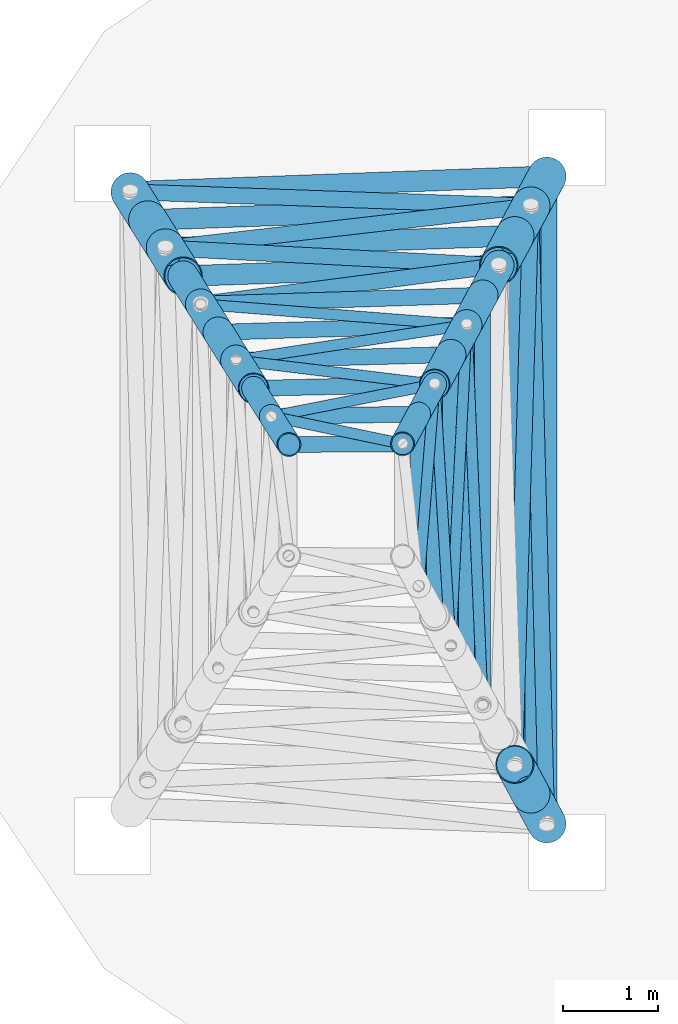
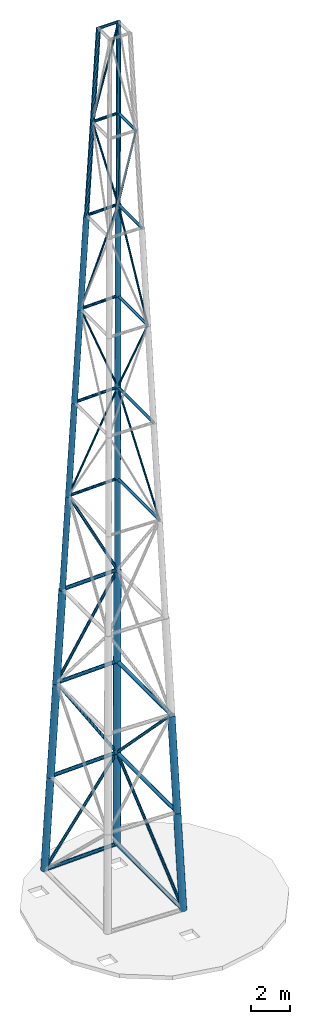
# One storey, part 2 of 10: 53 members.
"""IFC4 building model written with IfcOpenShell, lengths in metres."""

from ifc_helpers import new_model, si_unit, direction, frame, origin, origin_2d, place, context, subcontext, project, spatial, hollow_circle, extrude, material, material_profile, profile_set, type_object, element, save


model = new_model("IFC4")

# Units and contexts
model_context = context("Model", 3, precision=1e-05, world=origin(), true_north=direction((0.0, 1.0)))
body_context = subcontext(model_context, "Body", "Model", "MODEL_VIEW")
ifc_project = project(units=[si_unit("LENGTHUNIT", "METRE"), si_unit("AREAUNIT", "SQUARE_METRE"), si_unit("VOLUMEUNIT", "CUBIC_METRE"), si_unit("PLANEANGLEUNIT", "RADIAN"), si_unit("MASSUNIT", "GRAM", prefix="KILO")], contexts=[model_context])

# Site, building, storey
site_placement = place(None, origin())
site = spatial("IfcSite", under=ifc_project, at=site_placement, CompositionType="ELEMENT")
building_placement = place(site_placement, origin())
building = spatial("IfcBuilding", under=site, at=building_placement, Name="Alderwake Tower", CompositionType="ELEMENT")
storey_placement = place(building_placement, frame((0.0, 0.0, 319.25)))
storey = spatial("IfcBuildingStorey", under=building, at=storey_placement, Name="Upper roof", CompositionType="ELEMENT", Elevation=319.25)

# Members
ifc_material_1 = material(Name="Steel ASTM A500 Grade C", Category="steel")
ifc_material_profile_1 = material_profile(ifc_material_1, hollow_circle(Radius=0.05712890625, WallThickness=0.005615234375, at=origin_2d()), Name="HSS4.500X0.237")
ifc_profile_set_1 = profile_set([ifc_material_profile_1], Name="Steel ASTM A500 Grade C")
member_type_1 = type_object("IfcMemberType", Name="Mast diagonal HSS4.500X0.237", PredefinedType="USERDEFINED", material=ifc_profile_set_1)
member_1_placement = place(storey_placement, frame((21.167724609375, 63.06689453125, 25.75), z_axis=(0.423567321356, -0.033077959351, 0.905260500013), x_axis=(0.077856698422, 0.996964560308, 0.0)))
element("IfcMember", 1, at=member_1_placement, inside=storey, type_object=member_type_1, Name="Mast diagonal MD2.6", ObjectType="MAST", PredefinedType="USERDEFINED", context=body_context, shape_type="SweptSolid", body=[
    extrude(hollow_circle(Radius=0.05712890625, WallThickness=0.005615234375, at=origin_2d()), origin(), (0.0, 0.0, 1.0), 6.6279296875),
])
member_2_placement = place(storey_placement, frame((24.14404296875, 58.83837890625, 25.75), z_axis=(-0.023405364976, 0.555437722009, 0.831228684454), x_axis=(-0.999113350042, -0.042101232385, 0.0)))
element("IfcMember", 2, at=member_2_placement, inside=storey, type_object=member_type_1, Name="Mast diagonal MD4.6", ObjectType="MAST", PredefinedType="USERDEFINED", context=body_context, shape_type="SweptSolid", body=[
    extrude(hollow_circle(Radius=0.05712890625, WallThickness=0.005615234375, at=origin_2d()), origin(), (0.0, 0.0, 1.0), 7.21826171875),
])
member_3_placement = place(storey_placement, frame((23.97509765625, 62.84765625, 31.75), z_axis=(-0.375430889648, -0.057515379926, 0.925064121113), x_axis=(0.151431592789, -0.988467739841, 0.0)))
element("IfcMember", 3, at=member_3_placement, inside=storey, type_object=member_type_1, Name="Mast diagonal MD2.7", ObjectType="MAST", PredefinedType="USERDEFINED", context=body_context, shape_type="SweptSolid", body=[
    extrude(hollow_circle(Radius=0.05712890625, WallThickness=0.005615234375, at=origin_2d()), origin(), (0.0, 0.0, 1.0), 6.486083984375),
])
member_4_placement = place(storey_placement, frame((23.97509765625, 62.84765625, 31.75), z_axis=(-0.024593364458, -0.49083961255, 0.870902773664), x_axis=(0.998747118748, -0.050041910361, 0.0)))
element("IfcMember", 4, at=member_4_placement, inside=storey, type_object=member_type_1, Name="Mast diagonal MD4.7", ObjectType="MAST", PredefinedType="USERDEFINED", context=body_context, shape_type="SweptSolid", body=[
    extrude(hollow_circle(Radius=0.05712890625, WallThickness=0.005615234375, at=origin_2d()), origin(), (0.0, 0.0, 1.0), 6.889404296875),
])
member_5_placement = place(storey_placement, frame((21.5400390625, 62.474609375, 37.75), z_axis=(0.329621058819, -0.0399936124, 0.943265852531), x_axis=(0.120448738844, 0.992719548166, 0.0)))
element("IfcMember", 5, at=member_5_placement, inside=storey, type_object=member_type_1, Name="Mast diagonal MD2.8", ObjectType="MAST", PredefinedType="USERDEFINED", context=body_context, shape_type="SweptSolid", body=[
    extrude(hollow_circle(Radius=0.05712890625, WallThickness=0.005615234375, at=origin_2d()), origin(), (0.0, 0.0, 1.0), 6.36083984375),
])
member_6_placement = place(storey_placement, frame((23.8056640625, 59.466064453125, 37.75), z_axis=(-0.02558195614, 0.41703764049, 0.908529124428), x_axis=(-0.998123867682, -0.061226993745, 0.0)))
element("IfcMember", 6, at=member_6_placement, inside=storey, type_object=member_type_1, Name="Mast diagonal MD4.8", ObjectType="MAST", PredefinedType="USERDEFINED", context=body_context, shape_type="SweptSolid", body=[
    extrude(hollow_circle(Radius=0.05712890625, WallThickness=0.005615234375, at=origin_2d()), origin(), (0.0, 0.0, 1.0), 6.60400390625),
])
member_7_placement = place(storey_placement, frame((23.63671875, 62.22021484375, 43.75), z_axis=(-0.275845316455, -0.054083488574, 0.959679288957), x_axis=(0.192401345534, -0.981316321191, 0.0)))
element("IfcMember", 7, at=member_7_placement, inside=storey, type_object=member_type_1, Name="Mast diagonal MD2.9", ObjectType="MAST", PredefinedType="USERDEFINED", context=body_context, shape_type="SweptSolid", body=[
    extrude(hollow_circle(Radius=0.05712890625, WallThickness=0.005615234375, at=origin_2d()), origin(), (0.0, 0.0, 1.0), 6.252197265625),
])
member_8_placement = place(storey_placement, frame((23.63671875, 62.22021484375, 43.75), z_axis=(-0.026606976833, -0.333967399417, 0.942209024002), x_axis=(0.996841422851, -0.079417741644, 0.0)))
element("IfcMember", 8, at=member_8_placement, inside=storey, type_object=member_type_1, Name="Mast diagonal MD4.9", ObjectType="MAST", PredefinedType="USERDEFINED", context=body_context, shape_type="SweptSolid", body=[
    extrude(hollow_circle(Radius=0.05712890625, WallThickness=0.005615234375, at=origin_2d()), origin(), (0.0, 0.0, 1.0), 6.367919921875),
])
member_9_placement = place(storey_placement, frame((21.912109375, 61.882080078125, 49.75), z_axis=(0.224860497787, -0.046928441331, 0.973260231351), x_axis=(0.204298475334, 0.978908643836, 0.0)))
element("IfcMember", 9, at=member_9_placement, inside=storey, type_object=member_type_1, Name="Mast diagonal MD2.10", ObjectType="MAST", PredefinedType="USERDEFINED", context=body_context, shape_type="SweptSolid", body=[
    extrude(hollow_circle(Radius=0.05712890625, WallThickness=0.005615234375, at=origin_2d()), origin(), (0.0, 0.0, 1.0), 6.164794921875),
])
ifc_material_2 = material(Name="Steel ASTM A500 Grade C", Category="steel")
ifc_material_profile_2 = material_profile(ifc_material_2, hollow_circle(Radius=0.084228515625, WallThickness=0.006591796875, at=origin_2d()), Name="HSS6.625X0.280")
ifc_profile_set_2 = profile_set([ifc_material_profile_2], Name="Steel ASTM A500 Grade C")
member_type_2 = type_object("IfcMemberType", Name="Mast diagonal HSS6.625X0.280", PredefinedType="USERDEFINED", material=ifc_profile_set_2)
member_10_placement = place(storey_placement, frame((20.42333984375, 64.251953125, 1.75), z_axis=(0.575969599333, -0.020350637653, 0.817217763017), x_axis=(0.035310798691, 0.999376379297, 0.0)))
element("IfcMember", 10, at=member_10_placement, inside=storey, type_object=member_type_2, Name="Mast diagonal MD2.2", ObjectType="MAST", PredefinedType="USERDEFINED", context=body_context, shape_type="SweptSolid", body=[
    extrude(hollow_circle(Radius=0.084228515625, WallThickness=0.006591796875, at=origin_2d()), origin(), (0.0, 0.0, 1.0), 7.342041015625),
])
member_11_placement = place(storey_placement, frame((24.820556640625, 57.58349609375, 1.75), z_axis=(-0.019009976417, 0.735658536661, 0.677085768743), x_axis=(-0.999666294649, -0.025832137791, 0.0)))
element("IfcMember", 11, at=member_11_placement, inside=storey, type_object=member_type_2, Name="Mast diagonal MD4.2", ObjectType="MAST", PredefinedType="USERDEFINED", context=body_context, shape_type="SweptSolid", body=[
    extrude(hollow_circle(Radius=0.084228515625, WallThickness=0.006591796875, at=origin_2d()), origin(), (0.0, 0.0, 1.0), 8.861572265625),
])
member_12_placement = place(storey_placement, frame((24.652099609375, 64.1025390625, 7.75), z_axis=(-0.53967216741, -0.062005759565, 0.839588731168), x_axis=(0.11414429883, -0.993464181058, 0.0)))
element("IfcMember", 12, at=member_12_placement, inside=storey, type_object=member_type_2, Name="Mast diagonal MD2.3", ObjectType="MAST", PredefinedType="USERDEFINED", context=body_context, shape_type="SweptSolid", body=[
    extrude(hollow_circle(Radius=0.084228515625, WallThickness=0.006591796875, at=origin_2d()), origin(), (0.0, 0.0, 1.0), 7.146240234375),
])
member_13_placement = place(storey_placement, frame((24.652099609375, 64.1025390625, 7.75), z_axis=(-0.020174048804, -0.700489418336, 0.713377587644), x_axis=(0.999585539718, -0.028787997269, 0.0)))
element("IfcMember", 13, at=member_13_placement, inside=storey, type_object=member_type_2, Name="Mast diagonal MD4.3", ObjectType="MAST", PredefinedType="USERDEFINED", context=body_context, shape_type="SweptSolid", body=[
    extrude(hollow_circle(Radius=0.084228515625, WallThickness=0.006591796875, at=origin_2d()), origin(), (0.0, 0.0, 1.0), 8.41064453125),
])
member_14_placement = place(storey_placement, frame((20.79541015625, 63.659423828125, 13.75), z_axis=(0.505656368577, -0.02649160768, 0.862328146149), x_axis=(0.052318782746, 0.998630434631, 0.0)))
element("IfcMember", 14, at=member_14_placement, inside=storey, type_object=member_type_2, Name="Mast diagonal MD2.4", ObjectType="MAST", PredefinedType="USERDEFINED", context=body_context, shape_type="SweptSolid", body=[
    extrude(hollow_circle(Radius=0.084228515625, WallThickness=0.006591796875, at=origin_2d()), origin(), (0.0, 0.0, 1.0), 6.9580078125),
])
member_15_placement = place(storey_placement, frame((24.313720703125, 63.47509765625, 19.75), z_axis=(-0.463529871317, -0.060144493624, 0.884037724468), x_axis=(0.128674565683, -0.991686874041, 0.0)))
element("IfcMember", 15, at=member_15_placement, inside=storey, type_object=member_type_2, Name="Mast diagonal MD2.5", ObjectType="MAST", PredefinedType="USERDEFINED", context=body_context, shape_type="SweptSolid", body=[
    extrude(hollow_circle(Radius=0.084228515625, WallThickness=0.006591796875, at=origin_2d()), origin(), (0.0, 0.0, 1.0), 6.787109375),
])
ifc_material_3 = material(Name="Steel ASTM A500 Grade C", Category="steel")
ifc_material_profile_3 = material_profile(ifc_material_3, hollow_circle(Radius=0.126953125, WallThickness=0.01171875, at=origin_2d()), Name="HSS10.000X0.500")
ifc_profile_set_3 = profile_set([ifc_material_profile_3], Name="Steel ASTM A500 Grade C")
member_type_3 = type_object("IfcMemberType", Name="Mast leg HSS10.000X0.500", PredefinedType="USERDEFINED", material=ifc_profile_set_3)
member_16_placement = place(storey_placement, frame((21.72607421875, 62.17822265625, 43.75), z_axis=(0.030953322217, -0.049273464369, 0.998305573235), x_axis=(0.846780302304, 0.531942778529, 0.0)))
element("IfcMember", 16, at=member_16_placement, inside=storey, type_object=member_type_3, Name="Mast leg ML3.9", ObjectType="MAST", PredefinedType="USERDEFINED", context=body_context, shape_type="SweptSolid", body=[
    extrude(hollow_circle(Radius=0.126953125, WallThickness=0.01171875, at=origin_2d()), origin(), (0.0, 0.0, 1.0), 6.01025390625),
])
member_17_placement = place(storey_placement, frame((23.63671875, 62.22021484375, 43.75), z_axis=(-0.028148617012, -0.052194766033, 0.998240132312), x_axis=(0.880163000135, -0.474671563497, 0.0)))
element("IfcMember", 17, at=member_17_placement, inside=storey, type_object=member_type_3, Name="Mast leg ML4.9", ObjectType="MAST", PredefinedType="USERDEFINED", context=body_context, shape_type="SweptSolid", body=[
    extrude(hollow_circle(Radius=0.126953125, WallThickness=0.01171875, at=origin_2d()), origin(), (0.0, 0.0, 1.0), 6.010498046875),
])
member_18_placement = place(storey_placement, frame((21.912109375, 61.882080078125, 49.75), z_axis=(0.030993842318, -0.049313924736, 0.998302318221), x_axis=(0.846663481702, 0.532128695666, 0.0)))
element("IfcMember", 18, at=member_18_placement, inside=storey, type_object=member_type_3, Name="Mast leg ML3.10", ObjectType="MAST", PredefinedType="USERDEFINED", context=body_context, shape_type="SweptSolid", body=[
    extrude(hollow_circle(Radius=0.126953125, WallThickness=0.01171875, at=origin_2d()), origin(), (0.0, 0.0, 1.0), 6.01025390625),
])
member_19_placement = place(storey_placement, frame((23.467529296875, 61.906494140625, 49.75), z_axis=(-0.028148617012, -0.052194766033, 0.998240132312), x_axis=(0.880163000135, -0.474671563497, 0.0)))
element("IfcMember", 19, at=member_19_placement, inside=storey, type_object=member_type_3, Name="Mast leg ML4.10", ObjectType="MAST", PredefinedType="USERDEFINED", context=body_context, shape_type="SweptSolid", body=[
    extrude(hollow_circle(Radius=0.126953125, WallThickness=0.01171875, at=origin_2d()), origin(), (0.0, 0.0, 1.0), 6.010498046875),
])
ifc_material_4 = material(Name="Steel ASTM A500 Grade C", Category="steel")
ifc_material_profile_4 = material_profile(ifc_material_4, hollow_circle(Radius=0.161865234375, WallThickness=0.0087890625, at=origin_2d()), Name="HSS12.750X0.375")
ifc_profile_set_4 = profile_set([ifc_material_profile_4], Name="Steel ASTM A500 Grade C")
member_type_4 = type_object("IfcMemberType", Name="Mast leg HSS12.750X0.375", PredefinedType="USERDEFINED", material=ifc_profile_set_4)
member_20_placement = place(storey_placement, frame((20.981689453125, 63.36328125, 19.75), z_axis=(0.030953260237, -0.049313986782, 0.998303574264), x_axis=(0.846977660333, 0.531628482021, 0.0)))
element("IfcMember", 20, at=member_20_placement, inside=storey, type_object=member_type_4, Name="Mast leg ML3.5", ObjectType="MAST", PredefinedType="USERDEFINED", context=body_context, shape_type="SweptSolid", body=[
    extrude(hollow_circle(Radius=0.161865234375, WallThickness=0.0087890625, at=origin_2d()), origin(), (0.0, 0.0, 1.0), 6.01025390625),
])
member_21_placement = place(storey_placement, frame((24.313720703125, 63.47509765625, 19.75), z_axis=(-0.028189203254, -0.052194706313, 0.998238990149), x_axis=(0.879876768493, -0.475201927886, 0.0)))
element("IfcMember", 21, at=member_21_placement, inside=storey, type_object=member_type_4, Name="Mast leg ML4.5", ObjectType="MAST", PredefinedType="USERDEFINED", context=body_context, shape_type="SweptSolid", body=[
    extrude(hollow_circle(Radius=0.161865234375, WallThickness=0.0087890625, at=origin_2d()), origin(), (0.0, 0.0, 1.0), 6.010498046875),
])
member_22_placement = place(storey_placement, frame((21.167724609375, 63.06689453125, 25.75), z_axis=(0.030993904379, -0.049273402374, 0.998304317185), x_axis=(0.846465825583, 0.532443054345, 0.0)))
element("IfcMember", 22, at=member_22_placement, inside=storey, type_object=member_type_4, Name="Mast leg ML3.6", ObjectType="MAST", PredefinedType="USERDEFINED", context=body_context, shape_type="SweptSolid", body=[
    extrude(hollow_circle(Radius=0.161865234375, WallThickness=0.0087890625, at=origin_2d()), origin(), (0.0, 0.0, 1.0), 6.01025390625),
])
member_23_placement = place(storey_placement, frame((24.144287109375, 63.161376953125, 25.75), z_axis=(-0.028148617012, -0.052194766033, 0.998240132312), x_axis=(0.880163000135, -0.474671563497, 0.0)))
element("IfcMember", 23, at=member_23_placement, inside=storey, type_object=member_type_4, Name="Mast leg ML4.6", ObjectType="MAST", PredefinedType="USERDEFINED", context=body_context, shape_type="SweptSolid", body=[
    extrude(hollow_circle(Radius=0.161865234375, WallThickness=0.0087890625, at=origin_2d()), origin(), (0.0, 0.0, 1.0), 6.010498046875),
])
member_24_placement = place(storey_placement, frame((21.35400390625, 62.770751953125, 31.75), z_axis=(0.030953322217, -0.049273464369, 0.998305573235), x_axis=(0.846780302304, 0.531942778529, 0.0)))
element("IfcMember", 24, at=member_24_placement, inside=storey, type_object=member_type_4, Name="Mast leg ML3.7", ObjectType="MAST", PredefinedType="USERDEFINED", context=body_context, shape_type="SweptSolid", body=[
    extrude(hollow_circle(Radius=0.161865234375, WallThickness=0.0087890625, at=origin_2d()), origin(), (0.0, 0.0, 1.0), 6.01025390625),
])
member_25_placement = place(storey_placement, frame((23.97509765625, 62.84765625, 31.75), z_axis=(-0.028148617012, -0.052194766033, 0.998240132312), x_axis=(0.880163000135, -0.474671563497, 0.0)))
element("IfcMember", 25, at=member_25_placement, inside=storey, type_object=member_type_4, Name="Mast leg ML4.7", ObjectType="MAST", PredefinedType="USERDEFINED", context=body_context, shape_type="SweptSolid", body=[
    extrude(hollow_circle(Radius=0.161865234375, WallThickness=0.0087890625, at=origin_2d()), origin(), (0.0, 0.0, 1.0), 6.010498046875),
])
member_26_placement = place(storey_placement, frame((21.5400390625, 62.474609375, 37.75), z_axis=(0.030953260237, -0.049313986782, 0.998303574264), x_axis=(0.846977660333, 0.531628482021, 0.0)))
element("IfcMember", 26, at=member_26_placement, inside=storey, type_object=member_type_4, Name="Mast leg ML3.8", ObjectType="MAST", PredefinedType="USERDEFINED", context=body_context, shape_type="SweptSolid", body=[
    extrude(hollow_circle(Radius=0.161865234375, WallThickness=0.0087890625, at=origin_2d()), origin(), (0.0, 0.0, 1.0), 6.01025390625),
])
member_27_placement = place(storey_placement, frame((23.805908203125, 62.533935546875, 37.75), z_axis=(-0.028148617012, -0.052194766033, 0.998240132312), x_axis=(0.880163000135, -0.474671563497, 0.0)))
element("IfcMember", 27, at=member_27_placement, inside=storey, type_object=member_type_4, Name="Mast leg ML4.8", ObjectType="MAST", PredefinedType="USERDEFINED", context=body_context, shape_type="SweptSolid", body=[
    extrude(hollow_circle(Radius=0.161865234375, WallThickness=0.0087890625, at=origin_2d()), origin(), (0.0, 0.0, 1.0), 6.010498046875),
])
ifc_material_5 = material(Name="Steel ASTM A500 Grade C", Category="steel")
ifc_material_profile_5 = material_profile(ifc_material_5, hollow_circle(Radius=0.203125, WallThickness=0.01171875, at=origin_2d()), Name="HSS16.000X0.500")
ifc_profile_set_5 = profile_set([ifc_material_profile_5], Name="Steel ASTM A500 Grade C")
member_type_5 = type_object("IfcMemberType", Name="Mast leg HSS16.000X0.500", PredefinedType="USERDEFINED", material=ifc_profile_set_5)
member_28_placement = place(storey_placement, frame((24.820556640625, 57.58349609375, 1.75), z_axis=(-0.028148617012, 0.052194766033, 0.998240132312), x_axis=(-0.880163000135, -0.474671563497, 0.0)))
element("IfcMember", 28, at=member_28_placement, inside=storey, type_object=member_type_5, Name="Mast leg ML2.2", ObjectType="MAST", PredefinedType="USERDEFINED", context=body_context, shape_type="SweptSolid", body=[
    extrude(hollow_circle(Radius=0.203125, WallThickness=0.01171875, at=origin_2d()), origin(), (0.0, 0.0, 1.0), 6.010498046875),
])
member_29_placement = place(storey_placement, frame((20.42333984375, 64.251953125, 1.75), z_axis=(0.030953260237, -0.049313986782, 0.998303574264), x_axis=(0.846977660333, 0.531628482021, 0.0)))
element("IfcMember", 29, at=member_29_placement, inside=storey, type_object=member_type_5, Name="Mast leg ML3.2", ObjectType="MAST", PredefinedType="USERDEFINED", context=body_context, shape_type="SweptSolid", body=[
    extrude(hollow_circle(Radius=0.203125, WallThickness=0.01171875, at=origin_2d()), origin(), (0.0, 0.0, 1.0), 6.01025390625),
])
for number, where, z_axis, x_axis, name in (
    (30, (24.8212890625, 64.416259765625, 1.75), (-0.028148617012, -0.052194766033, 0.998240132312), (0.880163000135, -0.474671563497, 0.0), "Mast leg ML4.2"),
    (31, (24.6513671875, 57.897216796875, 7.75), (-0.028108030632, 0.052194825667, 0.998241272833), (-0.880449097961, -0.474140681548, 0.0), "Mast leg ML2.3"),
):
    element("IfcMember", number, at=place(storey_placement, frame(where, z_axis=z_axis, x_axis=x_axis)), inside=storey, type_object=member_type_5, Name=name, ObjectType="MAST", PredefinedType="USERDEFINED", context=body_context, shape_type="SweptSolid", body=[
        extrude(hollow_circle(Radius=0.203125, WallThickness=0.01171875, at=origin_2d()), origin(), (0.0, 0.0, 1.0), 6.010498046875),
    ])
member_30_placement = place(storey_placement, frame((20.609375, 63.95556640625, 7.75), z_axis=(0.030953322217, -0.049273464369, 0.998305573235), x_axis=(0.846780302304, 0.531942778529, 0.0)))
element("IfcMember", 32, at=member_30_placement, inside=storey, type_object=member_type_5, Name="Mast leg ML3.3", ObjectType="MAST", PredefinedType="USERDEFINED", context=body_context, shape_type="SweptSolid", body=[
    extrude(hollow_circle(Radius=0.203125, WallThickness=0.01171875, at=origin_2d()), origin(), (0.0, 0.0, 1.0), 6.01025390625),
])
member_31_placement = place(storey_placement, frame((24.652099609375, 64.1025390625, 7.75), z_axis=(-0.028148617012, -0.052194766033, 0.998240132312), x_axis=(0.880163000135, -0.474671563497, 0.0)))
element("IfcMember", 33, at=member_31_placement, inside=storey, type_object=member_type_5, Name="Mast leg ML4.3", ObjectType="MAST", PredefinedType="USERDEFINED", context=body_context, shape_type="SweptSolid", body=[
    extrude(hollow_circle(Radius=0.203125, WallThickness=0.01171875, at=origin_2d()), origin(), (0.0, 0.0, 1.0), 6.010498046875),
])
member_32_placement = place(storey_placement, frame((20.79541015625, 63.659423828125, 13.75), z_axis=(0.030993904379, -0.049273402374, 0.998304317185), x_axis=(0.846465825583, 0.532443054345, 0.0)))
element("IfcMember", 34, at=member_32_placement, inside=storey, type_object=member_type_5, Name="Mast leg ML3.4", ObjectType="MAST", PredefinedType="USERDEFINED", context=body_context, shape_type="SweptSolid", body=[
    extrude(hollow_circle(Radius=0.203125, WallThickness=0.01171875, at=origin_2d()), origin(), (0.0, 0.0, 1.0), 6.01025390625),
])
member_33_placement = place(storey_placement, frame((24.48291015625, 63.788818359375, 13.75), z_axis=(-0.028148617012, -0.052194766033, 0.998240132312), x_axis=(0.880163000135, -0.474671563497, 0.0)))
element("IfcMember", 35, at=member_33_placement, inside=storey, type_object=member_type_5, Name="Mast leg ML4.4", ObjectType="MAST", PredefinedType="USERDEFINED", context=body_context, shape_type="SweptSolid", body=[
    extrude(hollow_circle(Radius=0.203125, WallThickness=0.01171875, at=origin_2d()), origin(), (0.0, 0.0, 1.0), 6.010498046875),
])
ifc_material_6 = material(Name="Steel ASTM A500 Grade C", Category="steel")
ifc_material_profile_6 = material_profile(ifc_material_6, hollow_circle(Radius=0.084228515625, WallThickness=0.006591796875, at=origin_2d()), Name="HSS6.625X0.280")
ifc_profile_set_6 = profile_set([ifc_material_profile_6], Name="Steel ASTM A500 Grade C")
member_type_6 = type_object("IfcMemberType", Name="Mast ring HSS6.625X0.280", PredefinedType="USERDEFINED", material=ifc_profile_set_6)
member_34_placement = place(storey_placement, frame((21.167724609375, 63.06689453125, 25.75), z_axis=(0.999496599093, 0.031726146969, 0.0), x_axis=(-0.031726146969, 0.999496599093, 0.0)))
element("IfcMember", 36, at=member_34_placement, inside=storey, type_object=member_type_6, Name="Mast ring MH2.5", ObjectType="MAST", PredefinedType="USERDEFINED", context=body_context, shape_type="SweptSolid", body=[
    extrude(hollow_circle(Radius=0.084228515625, WallThickness=0.006591796875, at=origin_2d()), origin(), (0.0, 0.0, 1.0), 2.97802734375),
])
member_35_placement = place(storey_placement, frame((24.14404296875, 58.83837890625, 25.75), z_axis=(5.647484e-05, 0.999999998405, 0.0), x_axis=(-0.999999998405, 5.647484e-05, 0.0)))
element("IfcMember", 37, at=member_35_placement, inside=storey, type_object=member_type_6, Name="Mast ring MH4.5", ObjectType="MAST", PredefinedType="USERDEFINED", context=body_context, shape_type="SweptSolid", body=[
    extrude(hollow_circle(Radius=0.084228515625, WallThickness=0.006591796875, at=origin_2d()), origin(), (0.0, 0.0, 1.0), 4.322998046875),
])
member_36_placement = place(storey_placement, frame((21.35400390625, 62.770751953125, 31.75), z_axis=(0.999569844169, 0.02932791551, 0.0), x_axis=(-0.02932791551, 0.999569844169, 0.0)))
element("IfcMember", 38, at=member_36_placement, inside=storey, type_object=member_type_6, Name="Mast ring MH2.6", ObjectType="MAST", PredefinedType="USERDEFINED", context=body_context, shape_type="SweptSolid", body=[
    extrude(hollow_circle(Radius=0.084228515625, WallThickness=0.006591796875, at=origin_2d()), origin(), (0.0, 0.0, 1.0), 2.622314453125),
])
member_37_placement = place(storey_placement, frame((23.974853515625, 59.15234375, 31.75), z_axis=(6.6067653e-05, 0.999999997818, 0.0), x_axis=(-0.999999997818, 6.6067653e-05, 0.0)))
element("IfcMember", 39, at=member_37_placement, inside=storey, type_object=member_type_6, Name="Mast ring MH4.6", ObjectType="MAST", PredefinedType="USERDEFINED", context=body_context, shape_type="SweptSolid", body=[
    extrude(hollow_circle(Radius=0.084228515625, WallThickness=0.006591796875, at=origin_2d()), origin(), (0.0, 0.0, 1.0), 3.6953125),
])
member_38_placement = place(storey_placement, frame((21.5400390625, 62.474609375, 37.75), z_axis=(0.999657413862, 0.026173553665, 0.0), x_axis=(-0.026173553665, 0.999657413862, 0.0)))
element("IfcMember", 40, at=member_38_placement, inside=storey, type_object=member_type_6, Name="Mast ring MH2.7", ObjectType="MAST", PredefinedType="USERDEFINED", context=body_context, shape_type="SweptSolid", body=[
    extrude(hollow_circle(Radius=0.084228515625, WallThickness=0.006591796875, at=origin_2d()), origin(), (0.0, 0.0, 1.0), 2.2666015625),
])
member_39_placement = place(storey_placement, frame((23.8056640625, 59.466064453125, 37.75), z_axis=(7.9579818e-05, 0.999999996834, 0.0), x_axis=(-0.999999996834, 7.9579818e-05, 0.0)))
element("IfcMember", 41, at=member_39_placement, inside=storey, type_object=member_type_6, Name="Mast ring MH4.7", ObjectType="MAST", PredefinedType="USERDEFINED", context=body_context, shape_type="SweptSolid", body=[
    extrude(hollow_circle(Radius=0.084228515625, WallThickness=0.006591796875, at=origin_2d()), origin(), (0.0, 0.0, 1.0), 3.06787109375),
])
member_40_placement = place(storey_placement, frame((21.72607421875, 62.17822265625, 43.75), z_axis=(0.999758570735, 0.02197271584, 0.0), x_axis=(-0.02197271584, 0.999758570735, 0.0)))
element("IfcMember", 42, at=member_40_placement, inside=storey, type_object=member_type_6, Name="Mast ring MH2.8", ObjectType="MAST", PredefinedType="USERDEFINED", context=body_context, shape_type="SweptSolid", body=[
    extrude(hollow_circle(Radius=0.084228515625, WallThickness=0.006591796875, at=origin_2d()), origin(), (0.0, 0.0, 1.0), 1.9111328125),
])
member_41_placement = place(storey_placement, frame((23.63671875, 59.77978515625, 43.75), z_axis=(0.0, 1.0, 0.0), x_axis=(-1.0, 0.0, 0.0)))
element("IfcMember", 43, at=member_41_placement, inside=storey, type_object=member_type_6, Name="Mast ring MH4.8", ObjectType="MAST", PredefinedType="USERDEFINED", context=body_context, shape_type="SweptSolid", body=[
    extrude(hollow_circle(Radius=0.084228515625, WallThickness=0.006591796875, at=origin_2d()), origin(), (0.0, 0.0, 1.0), 2.4404296875),
])
member_42_placement = place(storey_placement, frame((21.912109375, 61.882080078125, 49.75), z_axis=(0.999876838617, 0.015694189901, 0.0), x_axis=(-0.015694189901, 0.999876838617, 0.0)))
element("IfcMember", 44, at=member_42_placement, inside=storey, type_object=member_type_6, Name="Mast ring MH2.9", ObjectType="MAST", PredefinedType="USERDEFINED", context=body_context, shape_type="SweptSolid", body=[
    extrude(hollow_circle(Radius=0.084228515625, WallThickness=0.006591796875, at=origin_2d()), origin(), (0.0, 0.0, 1.0), 1.5556640625),
])
member_43_placement = place(storey_placement, frame((23.46728515625, 60.093505859375, 49.75), z_axis=(0.000134661997, 0.999999990933, 0.0), x_axis=(-0.999999990933, 0.000134661997, 0.0)))
element("IfcMember", 45, at=member_43_placement, inside=storey, type_object=member_type_6, Name="Mast ring MH4.9", ObjectType="MAST", PredefinedType="USERDEFINED", context=body_context, shape_type="SweptSolid", body=[
    extrude(hollow_circle(Radius=0.084228515625, WallThickness=0.006591796875, at=origin_2d()), origin(), (0.0, 0.0, 1.0), 1.81298828125),
])
member_44_placement = place(storey_placement, frame((22.098388671875, 61.585693359375, 55.75), z_axis=(0.999982593654, 0.005900202485, 0.0), x_axis=(-0.005900202485, 0.999982593654, 0.0)))
element("IfcMember", 46, at=member_44_placement, inside=storey, type_object=member_type_6, Name="Mast ring MH2.10", ObjectType="MAST", PredefinedType="USERDEFINED", context=body_context, shape_type="SweptSolid", body=[
    extrude(hollow_circle(Radius=0.084228515625, WallThickness=0.006591796875, at=origin_2d()), origin(), (0.0, 0.0, 1.0), 1.199951171875),
])
ifc_material_7 = material(Name="Steel ASTM A500 Grade C", Category="steel")
ifc_material_profile_7 = material_profile(ifc_material_7, hollow_circle(Radius=0.109619140625, WallThickness=0.007568359375, at=origin_2d()), Name="HSS8.625X0.322")
ifc_profile_set_7 = profile_set([ifc_material_profile_7], Name="Steel ASTM A500 Grade C")
member_type_7 = type_object("IfcMemberType", Name="Mast ring HSS8.625X0.322", PredefinedType="USERDEFINED", material=ifc_profile_set_7)
member_45_placement = place(storey_placement, frame((20.42333984375, 64.251953125, 1.75), z_axis=(0.999302851208, 0.037333785881, 0.0), x_axis=(-0.037333785881, 0.999302851208, 0.0)))
element("IfcMember", 47, at=member_45_placement, inside=storey, type_object=member_type_7, Name="Mast ring MH2.1", ObjectType="MAST", PredefinedType="USERDEFINED", context=body_context, shape_type="SweptSolid", body=[
    extrude(hollow_circle(Radius=0.109619140625, WallThickness=0.007568359375, at=origin_2d()), origin(), (0.0, 0.0, 1.0), 4.401123046875),
])
member_46_placement = place(storey_placement, frame((24.820556640625, 57.58349609375, 1.75), z_axis=(0.000107192625, 0.999999994255, 0.0), x_axis=(-0.999999994255, 0.000107192625, 0.0)))
element("IfcMember", 48, at=member_46_placement, inside=storey, type_object=member_type_7, Name="Mast ring MH4.1", ObjectType="MAST", PredefinedType="USERDEFINED", context=body_context, shape_type="SweptSolid", body=[
    extrude(hollow_circle(Radius=0.109619140625, WallThickness=0.007568359375, at=origin_2d()), origin(), (0.0, 0.0, 1.0), 6.832763671875),
])
member_47_placement = place(storey_placement, frame((20.609375, 63.95556640625, 7.75), z_axis=(0.999339816694, 0.03633085148, 0.0), x_axis=(-0.03633085148, 0.999339816694, 0.0)))
element("IfcMember", 49, at=member_47_placement, inside=storey, type_object=member_type_7, Name="Mast ring MH2.2", ObjectType="MAST", PredefinedType="USERDEFINED", context=body_context, shape_type="SweptSolid", body=[
    extrude(hollow_circle(Radius=0.109619140625, WallThickness=0.007568359375, at=origin_2d()), origin(), (0.0, 0.0, 1.0), 4.04541015625),
])
member_48_placement = place(storey_placement, frame((24.6513671875, 57.897216796875, 7.75), z_axis=(0.000118031238, 0.999999993034, 0.0), x_axis=(-0.999999993034, 0.000118031238, 0.0)))
element("IfcMember", 50, at=member_48_placement, inside=storey, type_object=member_type_7, Name="Mast ring MH4.2", ObjectType="MAST", PredefinedType="USERDEFINED", context=body_context, shape_type="SweptSolid", body=[
    extrude(hollow_circle(Radius=0.109619140625, WallThickness=0.007568359375, at=origin_2d()), origin(), (0.0, 0.0, 1.0), 6.205322265625),
])
member_49_placement = place(storey_placement, frame((20.79541015625, 63.659423828125, 13.75), z_axis=(0.999384912428, 0.035068458924, 0.0), x_axis=(-0.035068458924, 0.999384912428, 0.0)))
element("IfcMember", 51, at=member_49_placement, inside=storey, type_object=member_type_7, Name="Mast ring MH2.3", ObjectType="MAST", PredefinedType="USERDEFINED", context=body_context, shape_type="SweptSolid", body=[
    extrude(hollow_circle(Radius=0.109619140625, WallThickness=0.007568359375, at=origin_2d()), origin(), (0.0, 0.0, 1.0), 3.689697265625),
])
member_50_placement = place(storey_placement, frame((24.482421875, 58.2109375, 13.75), z_axis=(8.7538845e-05, 0.999999996168, 0.0), x_axis=(-0.999999996168, 8.7538845e-05, 0.0)))
element("IfcMember", 52, at=member_50_placement, inside=storey, type_object=member_type_7, Name="Mast ring MH4.3", ObjectType="MAST", PredefinedType="USERDEFINED", context=body_context, shape_type="SweptSolid", body=[
    extrude(hollow_circle(Radius=0.109619140625, WallThickness=0.007568359375, at=origin_2d()), origin(), (0.0, 0.0, 1.0), 5.577880859375),
])
member_51_placement = place(storey_placement, frame((20.981689453125, 63.36328125, 19.75), z_axis=(0.999437404422, 0.033539150881, 0.0), x_axis=(-0.033539150881, 0.999437404422, 0.0)))
element("IfcMember", 53, at=member_51_placement, inside=storey, type_object=member_type_7, Name="Mast ring MH2.4", ObjectType="MAST", PredefinedType="USERDEFINED", context=body_context, shape_type="SweptSolid", body=[
    extrude(hollow_circle(Radius=0.109619140625, WallThickness=0.007568359375, at=origin_2d()), origin(), (0.0, 0.0, 1.0), 3.333984375),
])

save(model, "model.ifc")
